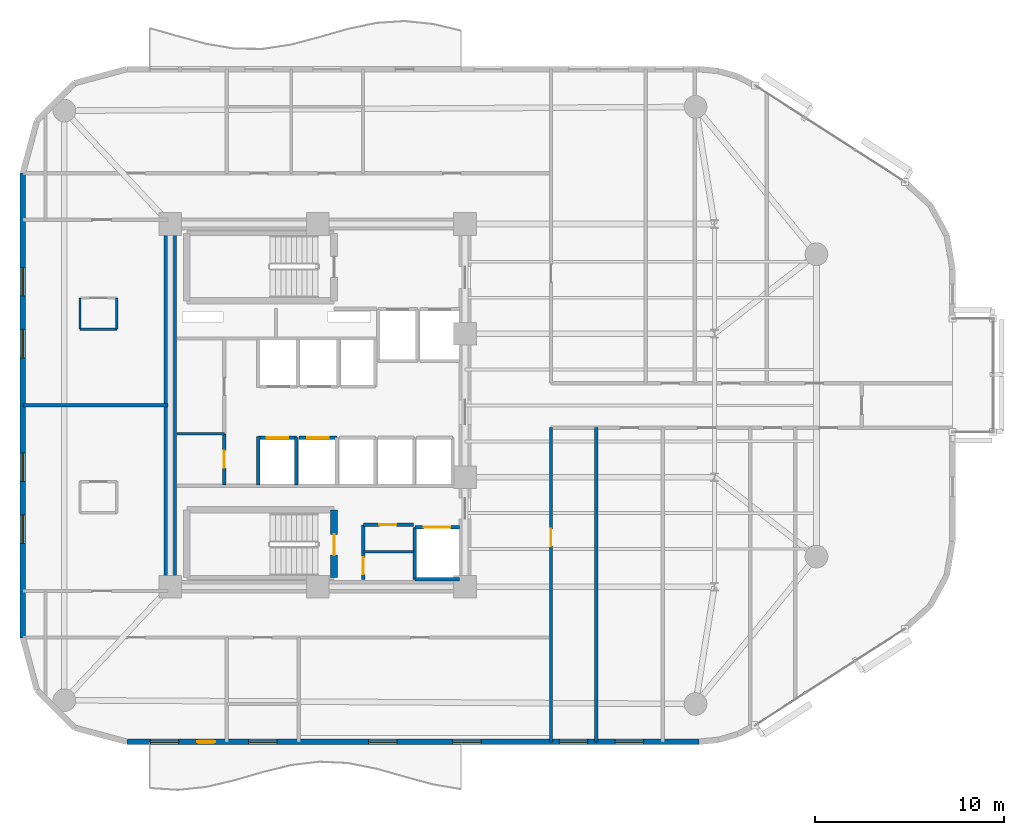
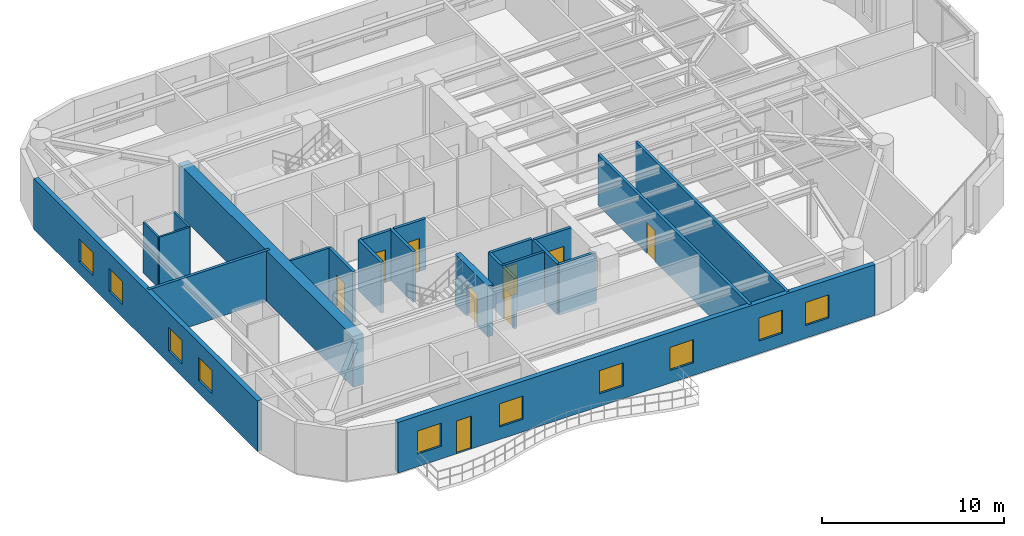
# One storey, part 8 of 13: 22 walls, 10 windows, 9 doors, 19 openings.
"""IFC4 building model written with IfcOpenShell, lengths in metres."""

from ifc_helpers import new_model, si_unit, direction, frame, frame_2d, origin, place, context, subcontext, project, spatial, rectangle, extrude, material, layer, layer_set, type_object, element, fill, save


model = new_model("IFC4")

# Units and contexts
model_context = context("Model", 3, precision=1e-05, world=origin(), true_north=direction((0.0, 1.0)))
body_context = subcontext(model_context, "Body", "Model", "MODEL_VIEW")
ifc_project = project(units=[si_unit("LENGTHUNIT", "METRE"), si_unit("AREAUNIT", "SQUARE_METRE"), si_unit("VOLUMEUNIT", "CUBIC_METRE"), si_unit("PLANEANGLEUNIT", "RADIAN"), si_unit("MASSUNIT", "GRAM", prefix="KILO")], contexts=[model_context])

# Site, building, storey
site_placement = place(None, origin())
site = spatial("IfcSite", under=ifc_project, at=site_placement, CompositionType="ELEMENT")
building_placement = place(site_placement, origin())
building = spatial("IfcBuilding", under=site, at=building_placement, Name="An Khanh Terracotta Commons", CompositionType="ELEMENT")
storey_placement = place(building_placement, frame((0.0, 0.0, 183.39990234375)))
storey = spatial("IfcBuildingStorey", under=building, at=storey_placement, Name="L48", CompositionType="ELEMENT", Elevation=183.39990234375)

# Wall
ifc_material_1 = material(Name="Concrete C60/75", Category="concrete")
ifc_layer_1 = layer(ifc_material_1, 0.64990234375, Name="Concrete C60/75")
ifc_layer_set_1 = layer_set([ifc_layer_1], Name="Concrete C60/75")
wall_type_1 = type_object("IfcWallType", Name="WALL-CORE-650", PredefinedType="SHEAR", material=ifc_layer_set_1)
wall_1_placement = place(storey_placement, frame((21.60009765625, 14.39990234375, 0.0), z_axis=(0.0, 0.0, 1.0), x_axis=(0.0, 1.0, 0.0)))
element("IfcWall", 1, at=wall_1_placement, inside=storey, type_object=wall_type_1, Name="L48 Core Wall CWALL-L48-W", PredefinedType="SHEAR", context=body_context, shape_type="SweptSolid", body=[
    extrude(rectangle(XDim=19.2001953125, YDim=0.64990234375, at=frame_2d((9.60009765625, 0.0))), origin(), (0.0, 0.0, 1.0), 3.400146484375),
])

# Wall, opening, door
ifc_material_2 = material(Name="Fire-Rated Gypsum Board on Steel Stud", Category="steel")
ifc_layer_2 = layer(ifc_material_2, 0.179931640625, Name="Fire-Rated Gypsum Board on Steel Stud")
ifc_layer_set_2 = layer_set([ifc_layer_2], Name="Fire-Rated Gypsum Board on Steel Stud")
wall_type_2 = type_object("IfcWallType", Name="WALL-CORR-180", PredefinedType="PARTITIONING", material=ifc_layer_set_2)
wall_2_placement = place(storey_placement, frame((31.820068359375, 17.679931640625, 0.0), z_axis=(0.0, 0.0, 1.0), x_axis=(1.0, 0.0, 0.0)))
wall_2 = element("IfcWall", 2, at=wall_2_placement, inside=storey, type_object=wall_type_2, Name="L48 Core Wall SSVCW-L48-N", PredefinedType="PARTITIONING", context=body_context, shape_type="SweptSolid", body=[
    extrude(rectangle(XDim=2.659912109375, YDim=0.179931640625, at=frame_2d((1.330078125, 0.0))), origin(), (0.0, 0.0, 1.0), 3.400146484375),
])
opening_1_placement = place(wall_2_placement, frame((0.85009765625, 0.0, 0.0)))
opening_1 = element("IfcOpeningElement", 3, at=opening_1_placement, cuts=wall_2, Name="Opening D-SV", PredefinedType="OPENING", context=body_context, shape_type="SweptSolid", body=[
    extrude(rectangle(XDim=0.89990234375, YDim=2.050048828125, at=frame_2d((0.449951171875, 1.02490234375))), frame((0.0, 0.099853515625, 0.0), z_axis=(0.0, -1.0, 0.0), x_axis=(1.0, 0.0, 0.0)), (0.0, 0.0, 1.0), 0.199951171875),
])
ifc_material_3 = material(Name="Fire-Rated Powder-Coated Steel Door", Category="steel")
door_type_1 = type_object("IfcDoorType", Name="DOOR-SERV-900", OperationType="NOTDEFINED", PredefinedType="DOOR", material=ifc_material_3)
door_1_placement = place(opening_1_placement, origin())
door_1 = element("IfcDoor", 4, at=door_1_placement, inside=storey, type_object=door_type_1, Name="L48 Core Cleaner Store Door", OperationType="SINGLE_SWING_LEFT", OverallHeight=2.050048828125, OverallWidth=0.89990234375, PredefinedType="DOOR", context=body_context, shape_type="SweptSolid", body=[
    extrude(rectangle(XDim=0.89990234375, YDim=2.050048828125, at=frame_2d((0.449951171875, 1.02490234375))), frame((0.0, 0.02490234375, 0.0), z_axis=(0.0, -1.0, 0.0), x_axis=(1.0, 0.0, 0.0)), (0.0, 0.0, 1.0), 0.050048828125),
])
fill(opening_1, door_1)

wall_3_placement = place(storey_placement, frame((31.820068359375, 14.800048828125, 0.0), z_axis=(0.0, 0.0, 1.0), x_axis=(0.0, 1.0, 0.0)))
wall_3 = element("IfcWall", 5, at=wall_3_placement, inside=storey, type_object=wall_type_2, Name="L48 Core Wall SSVCW-L48-W", PredefinedType="PARTITIONING", context=body_context, shape_type="SweptSolid", body=[
    extrude(rectangle(XDim=2.8798828125, YDim=0.179931640625, at=frame_2d((1.43994140625, 0.0))), origin(), (0.0, 0.0, 1.0), 3.400146484375),
])
opening_2_placement = place(wall_3_placement, frame((0.260009765625, 0.0, 0.0)))
opening_2 = element("IfcOpeningElement", 6, at=opening_2_placement, cuts=wall_3, Name="Opening D-SV", PredefinedType="OPENING", context=body_context, shape_type="SweptSolid", body=[
    extrude(rectangle(XDim=0.89990234375, YDim=2.050048828125, at=frame_2d((0.449951171875, 1.02490234375))), frame((0.0, 0.099853515625, 0.0), z_axis=(0.0, -1.0, 0.0), x_axis=(1.0, 0.0, 0.0)), (0.0, 0.0, 1.0), 0.199951171875),
])
door_2_placement = place(opening_2_placement, origin())
door_2 = element("IfcDoor", 7, at=door_2_placement, inside=storey, type_object=door_type_1, Name="L48 Telecoms BMS Cupboard Door", OperationType="SINGLE_SWING_RIGHT", OverallHeight=2.050048828125, OverallWidth=0.89990234375, PredefinedType="DOOR", context=body_context, shape_type="SweptSolid", body=[
    extrude(rectangle(XDim=0.89990234375, YDim=2.050048828125, at=frame_2d((0.449951171875, 1.02490234375))), frame((0.0, 0.02490234375, 0.0), z_axis=(0.0, -1.0, 0.0), x_axis=(1.0, 0.0, 0.0)), (0.0, 0.0, 1.0), 0.050048828125),
])
fill(opening_2, door_2)

wall_4_placement = place(storey_placement, frame((34.550048828125, 17.550048828125, 0.0), z_axis=(0.0, 0.0, 1.0), x_axis=(1.0, 0.0, 0.0)))
wall_4 = element("IfcWall", 8, at=wall_4_placement, inside=storey, type_object=wall_type_2, Name="L48 Core Wall LSH-L48-SVL-01-N", PredefinedType="PARTITIONING", context=body_context, shape_type="SweptSolid", body=[
    extrude(rectangle(XDim=2.349853515625, YDim=0.179931640625, at=frame_2d((1.1748046875, 0.0))), origin(), (0.0, 0.0, 1.0), 3.400146484375),
])
opening_3_placement = place(wall_4_placement, frame((0.47509765625, 0.0, 0.0)))
opening_3 = element("IfcOpeningElement", 9, at=opening_3_placement, cuts=wall_4, Name="Opening LD-SVL-01-L48", PredefinedType="OPENING", context=body_context, shape_type="SweptSolid", body=[
    extrude(rectangle(XDim=1.39990234375, YDim=2.300048828125, at=frame_2d((0.699951171875, 1.14990234375))), frame((0.0, 0.099853515625, 0.0), z_axis=(0.0, -1.0, 0.0), x_axis=(1.0, 0.0, 0.0)), (0.0, 0.0, 1.0), 0.199951171875),
])
ifc_material_4 = material(Name="Heavy-Duty Stainless Steel Goods Landing Door", Category="steel")
door_type_2 = type_object("IfcDoorType", Name="DOOR-LD-SVL-1400", OperationType="NOTDEFINED", PredefinedType="DOOR", material=ifc_material_4)
door_3_placement = place(opening_3_placement, origin())
door_3 = element("IfcDoor", 10, at=door_3_placement, inside=storey, type_object=door_type_2, Name="L48 Lift SVL-01 Sliding Landing Door", OperationType="DOUBLE_DOOR_SLIDING", OverallHeight=2.300048828125, OverallWidth=1.39990234375, PredefinedType="DOOR", context=body_context, shape_type="SweptSolid", body=[
    extrude(rectangle(XDim=1.39990234375, YDim=2.300048828125, at=frame_2d((0.699951171875, 1.14990234375))), frame((0.0, 0.02490234375, 0.0), z_axis=(0.0, -1.0, 0.0), x_axis=(1.0, 0.0, 0.0)), (0.0, 0.0, 1.0), 0.050048828125),
])
fill(opening_3, door_3)

# Walls
wall_5_placement = place(storey_placement, frame((36.89990234375, 14.800048828125, 0.0), z_axis=(0.0, 0.0, 1.0), x_axis=(-1.0, 0.0, 0.0)))
element("IfcWall", 11, at=wall_5_placement, inside=storey, type_object=wall_type_2, Name="L48 Core Wall LSH-L48-SVL-01-S", PredefinedType="PARTITIONING", context=body_context, shape_type="SweptSolid", body=[
    extrude(rectangle(XDim=2.349853515625, YDim=0.179931640625, at=frame_2d((1.1748046875, 0.0))), origin(), (0.0, 0.0, 1.0), 3.400146484375),
])
wall_6_placement = place(storey_placement, frame((34.550048828125, 17.550048828125, 0.0), z_axis=(0.0, 0.0, 1.0), x_axis=(0.0, -1.0, 0.0)))
element("IfcWall", 12, at=wall_6_placement, inside=storey, type_object=wall_type_2, Name="L48 Core Wall LSH-L48-SVL-01-W", PredefinedType="PARTITIONING", context=body_context, shape_type="SweptSolid", body=[
    extrude(rectangle(XDim=2.75, YDim=0.179931640625, at=frame_2d((1.375, 0.0))), origin(), (0.0, 0.0, 1.0), 3.400146484375),
])

# Wall, opening, door
wall_7_placement = place(storey_placement, frame((26.280029296875, 22.300048828125, 0.0), z_axis=(0.0, 0.0, 1.0), x_axis=(1.0, 0.0, 0.0)))
wall_7 = element("IfcWall", 13, at=wall_7_placement, inside=storey, type_object=wall_type_2, Name="L48 Core Wall LSH-L48-PL-M3-N", PredefinedType="PARTITIONING", context=body_context, shape_type="SweptSolid", body=[
    extrude(rectangle(XDim=2.0, YDim=0.179931640625, at=frame_2d((1.0, 0.0))), origin(), (0.0, 0.0, 1.0), 3.400146484375),
])
opening_4_placement = place(wall_7_placement, frame((0.425048828125, 0.0, 0.0)))
opening_4 = element("IfcOpeningElement", 14, at=opening_4_placement, cuts=wall_7, Name="Opening LD-PL-M3-L48", PredefinedType="OPENING", context=body_context, shape_type="SweptSolid", body=[
    extrude(rectangle(XDim=1.14990234375, YDim=2.199951171875, at=frame_2d((0.574951171875, 1.10009765625))), frame((0.0, 0.099853515625, 0.0), z_axis=(0.0, -1.0, 0.0), x_axis=(1.0, 0.0, 0.0)), (0.0, 0.0, 1.0), 0.199951171875),
])
ifc_material_5 = material(Name="Brushed Stainless Steel Passenger Landing Door", Category="steel")
door_type_3 = type_object("IfcDoorType", Name="DOOR-LD-PAX-1150", OperationType="NOTDEFINED", PredefinedType="DOOR", material=ifc_material_5)
door_4_placement = place(opening_4_placement, origin())
door_4 = element("IfcDoor", 15, at=door_4_placement, inside=storey, type_object=door_type_3, Name="L48 Lift PL-M3 Sliding Landing Door", OperationType="DOUBLE_DOOR_SLIDING", OverallHeight=2.199951171875, OverallWidth=1.14990234375, PredefinedType="DOOR", context=body_context, shape_type="SweptSolid", body=[
    extrude(rectangle(XDim=1.14990234375, YDim=2.199951171875, at=frame_2d((0.574951171875, 1.10009765625))), frame((0.0, 0.02490234375, 0.0), z_axis=(0.0, -1.0, 0.0), x_axis=(1.0, 0.0, 0.0)), (0.0, 0.0, 1.0), 0.050048828125),
])
fill(opening_4, door_4)

# Wall
wall_8_placement = place(storey_placement, frame((28.280029296875, 19.800048828125, 0.0), z_axis=(0.0, 0.0, 1.0), x_axis=(0.0, 1.0, 0.0)))
element("IfcWall", 16, at=wall_8_placement, inside=storey, type_object=wall_type_2, Name="L48 Core Wall LSH-L48-PL-M3-E", PredefinedType="PARTITIONING", context=body_context, shape_type="SweptSolid", body=[
    extrude(rectangle(XDim=2.5, YDim=0.179931640625, at=frame_2d((1.25, 0.0))), origin(), (0.0, 0.0, 1.0), 3.400146484375),
])

# Wall, opening, door
wall_9_placement = place(storey_placement, frame((28.419921875, 22.300048828125, 0.0), z_axis=(0.0, 0.0, 1.0), x_axis=(1.0, 0.0, 0.0)))
wall_9 = element("IfcWall", 17, at=wall_9_placement, inside=storey, type_object=wall_type_2, Name="L48 Core Wall LSH-L48-PL-M4-N", PredefinedType="PARTITIONING", context=body_context, shape_type="SweptSolid", body=[
    extrude(rectangle(XDim=2.0, YDim=0.179931640625, at=frame_2d((1.0, 0.0))), origin(), (0.0, 0.0, 1.0), 3.400146484375),
])
opening_5_placement = place(wall_9_placement, frame((0.425048828125, 0.0, 0.0)))
opening_5 = element("IfcOpeningElement", 18, at=opening_5_placement, cuts=wall_9, Name="Opening LD-PL-M4-L48", PredefinedType="OPENING", context=body_context, shape_type="SweptSolid", body=[
    extrude(rectangle(XDim=1.14990234375, YDim=2.199951171875, at=frame_2d((0.574951171875, 1.10009765625))), frame((0.0, 0.099853515625, 0.0), z_axis=(0.0, -1.0, 0.0), x_axis=(1.0, 0.0, 0.0)), (0.0, 0.0, 1.0), 0.199951171875),
])
door_5_placement = place(opening_5_placement, origin())
door_5 = element("IfcDoor", 19, at=door_5_placement, inside=storey, type_object=door_type_3, Name="L48 Lift PL-M4 Sliding Landing Door", OperationType="DOUBLE_DOOR_SLIDING", OverallHeight=2.199951171875, OverallWidth=1.14990234375, PredefinedType="DOOR", context=body_context, shape_type="SweptSolid", body=[
    extrude(rectangle(XDim=1.14990234375, YDim=2.199951171875, at=frame_2d((0.574951171875, 1.10009765625))), frame((0.0, 0.02490234375, 0.0), z_axis=(0.0, -1.0, 0.0), x_axis=(1.0, 0.0, 0.0)), (0.0, 0.0, 1.0), 0.050048828125),
])
fill(opening_5, door_5)

wall_10_placement = place(storey_placement, frame((24.4599609375, 19.800048828125, 0.0), z_axis=(0.0, 0.0, 1.0), x_axis=(0.0, 1.0, 0.0)))
wall_10 = element("IfcWall", 20, at=wall_10_placement, inside=storey, type_object=wall_type_2, Name="L48 Core Wall RECW-L48-E2", PredefinedType="PARTITIONING", context=body_context, shape_type="SweptSolid", body=[
    extrude(rectangle(XDim=2.699951171875, YDim=0.179931640625, at=frame_2d((1.35009765625, 0.0))), origin(), (0.0, 0.0, 1.0), 3.400146484375),
])
opening_6_placement = place(wall_10_placement, frame((0.889892578125, 0.0, 0.0)))
opening_6 = element("IfcOpeningElement", 21, at=opening_6_placement, cuts=wall_10, Name="Opening D-RM", PredefinedType="OPENING", context=body_context, shape_type="SweptSolid", body=[
    extrude(rectangle(XDim=0.919921875, YDim=2.10009765625, at=frame_2d((0.4599609375, 1.050048828125))), frame((0.0, 0.099853515625, 0.0), z_axis=(0.0, -1.0, 0.0), x_axis=(1.0, 0.0, 0.0)), (0.0, 0.0, 1.0), 0.199951171875),
])
ifc_material_6 = material(Name="Engineered Hardwood Timber Leaf", Category="wood")
door_type_4 = type_object("IfcDoorType", Name="DOOR-INT-920", OperationType="NOTDEFINED", PredefinedType="DOOR", material=ifc_material_6)
door_6_placement = place(opening_6_placement, origin())
door_6 = element("IfcDoor", 22, at=door_6_placement, inside=storey, type_object=door_type_4, Name="L48 Communal Laundry Room Door", OperationType="SINGLE_SWING_RIGHT", OverallHeight=2.10009765625, OverallWidth=0.919921875, PredefinedType="DOOR", context=body_context, shape_type="SweptSolid", body=[
    extrude(rectangle(XDim=0.919921875, YDim=2.10009765625, at=frame_2d((0.4599609375, 1.050048828125))), frame((0.0, 0.02490234375, 0.0), z_axis=(0.0, -1.0, 0.0), x_axis=(1.0, 0.0, 0.0)), (0.0, 0.0, 1.0), 0.050048828125),
])
fill(opening_6, door_6)

# Walls
wall_11_placement = place(storey_placement, frame((26.25, 19.800048828125, 0.0), z_axis=(0.0, 0.0, 1.0), x_axis=(0.0, 1.0, 0.0)))
element("IfcWall", 23, at=wall_11_placement, inside=storey, type_object=wall_type_2, Name="L48 Core Wall RECW-L48-BE2", PredefinedType="PARTITIONING", context=body_context, shape_type="SweptSolid", body=[
    extrude(rectangle(XDim=2.550048828125, YDim=0.179931640625, at=frame_2d((1.27490234375, 0.0))), origin(), (0.0, 0.0, 1.0), 3.400146484375),
])
wall_12_placement = place(storey_placement, frame((13.800048828125, 24.0, 0.0), z_axis=(0.0, 0.0, 1.0), x_axis=(1.0, 0.0, 0.0)))
element("IfcWall", 24, at=wall_12_placement, inside=storey, type_object=wall_type_2, Name="L48 Interior Partition IW-L48-E005", PredefinedType="PARTITIONING", context=body_context, shape_type="SweptSolid", body=[
    extrude(rectangle(XDim=7.679931640625, YDim=0.179931640625, at=frame_2d((3.83984375, 0.0))), origin(), (0.0, 0.0, 1.0), 3.400146484375),
])

# Wall, opening, door
wall_13_placement = place(storey_placement, frame((41.75, 6.199951171875, 0.0), z_axis=(0.0, 0.0, 1.0), x_axis=(0.0, 1.0, 0.0)))
wall_13 = element("IfcWall", 25, at=wall_13_placement, inside=storey, type_object=wall_type_2, Name="L48 Interior Partition IW-L48-E017", PredefinedType="PARTITIONING", context=body_context, shape_type="SweptSolid", body=[
    extrude(rectangle(XDim=16.6201171875, YDim=0.179931640625, at=frame_2d((8.31005859375, 0.0))), origin(), (0.0, 0.0, 1.0), 3.400146484375),
])
opening_7_placement = place(wall_13_placement, frame((10.35009765625, 0.0, 0.0)))
opening_7 = element("IfcOpeningElement", 26, at=opening_7_placement, cuts=wall_13, Name="Opening D-RM", PredefinedType="OPENING", context=body_context, shape_type="SweptSolid", body=[
    extrude(rectangle(XDim=0.919921875, YDim=2.10009765625, at=frame_2d((0.4599609375, 1.050048828125))), frame((0.0, 0.099853515625, 0.0), z_axis=(0.0, -1.0, 0.0), x_axis=(1.0, 0.0, 0.0)), (0.0, 0.0, 1.0), 0.199951171875),
])
door_7_placement = place(opening_7_placement, origin())
door_7 = element("IfcDoor", 27, at=door_7_placement, inside=storey, type_object=door_type_4, Name="L48 SB1 Research Study Office Door", OperationType="SINGLE_SWING_RIGHT", OverallHeight=2.10009765625, OverallWidth=0.919921875, PredefinedType="DOOR", context=body_context, shape_type="SweptSolid", body=[
    extrude(rectangle(XDim=0.919921875, YDim=2.10009765625, at=frame_2d((0.4599609375, 1.050048828125))), frame((0.0, 0.02490234375, 0.0), z_axis=(0.0, -1.0, 0.0), x_axis=(1.0, 0.0, 0.0)), (0.0, 0.0, 1.0), 0.050048828125),
])
fill(opening_7, door_7)

# Wall
wall_14_placement = place(storey_placement, frame((44.139892578125, 6.199951171875, 0.0), z_axis=(0.0, 0.0, 1.0), x_axis=(0.0, 1.0, 0.0)))
element("IfcWall", 28, at=wall_14_placement, inside=storey, type_object=wall_type_2, Name="L48 Interior Partition IW-L48-E019", PredefinedType="PARTITIONING", context=body_context, shape_type="SweptSolid", body=[
    extrude(rectangle(XDim=16.6201171875, YDim=0.179931640625, at=frame_2d((8.31005859375, 0.0))), origin(), (0.0, 0.0, 1.0), 3.400146484375),
])

# Wall, openings, door, windows
ifc_material_7 = material(Name="Precast concrete C40/50", Category="concrete")
ifc_layer_3 = layer(ifc_material_7, 0.300048828125, Name="Precast concrete C40/50")
ifc_layer_set_3 = layer_set([ifc_layer_3], Name="Precast concrete C40/50")
wall_type_3 = type_object("IfcWallType", Name="WALL-EXT-300", PredefinedType="SOLIDWALL", material=ifc_layer_set_3)
wall_15_placement = place(storey_placement, frame((19.300048828125, 6.199951171875, 0.0), z_axis=(0.0, 0.0, 1.0), x_axis=(1.0, 0.0, 0.0)))
wall_15 = element("IfcWall", 29, at=wall_15_placement, inside=storey, type_object=wall_type_3, Name="L48 Insulated Terracotta Exterior Wall 4", PredefinedType="SOLIDWALL", context=body_context, shape_type="SweptSolid", body=[
    extrude(rectangle(XDim=30.281982421875, YDim=0.300048828125, at=frame_2d((15.14111328125, 0.0))), origin(), (0.0, 0.0, 1.0), 3.400146484375),
])
opening_8_placement = place(wall_15_placement, frame((3.72509765625, 0.0, 0.0)))
opening_8 = element("IfcOpeningElement", 30, at=opening_8_placement, cuts=wall_15, Name="Opening D-BAL", PredefinedType="OPENING", context=body_context, shape_type="SweptSolid", body=[
    extrude(rectangle(XDim=0.949951171875, YDim=2.199951171875, at=frame_2d((0.47509765625, 1.10009765625))), frame((0.0, 0.159912109375, 0.0), z_axis=(0.0, -1.0, 0.0), x_axis=(1.0, 0.0, 0.0)), (0.0, 0.0, 1.0), 0.320068359375),
])
opening_9_placement = place(wall_15_placement, frame((1.25, 0.0, 0.85009765625)))
opening_9 = element("IfcOpeningElement", 31, at=opening_9_placement, cuts=wall_15, Name="Opening W-03", PredefinedType="OPENING", context=body_context, shape_type="SweptSolid", body=[
    extrude(rectangle(XDim=1.5, YDim=1.550048828125, at=frame_2d((0.75, 0.77490234375))), frame((0.0, 0.159912109375, 0.0), z_axis=(0.0, -1.0, 0.0), x_axis=(1.0, 0.0, 0.0)), (0.0, 0.0, 1.0), 0.320068359375),
])
opening_10_placement = place(wall_15_placement, frame((6.449951171875, 0.0, 0.85009765625)))
opening_10 = element("IfcOpeningElement", 32, at=opening_10_placement, cuts=wall_15, Name="Opening W-03", PredefinedType="OPENING", context=body_context, shape_type="SweptSolid", body=[
    extrude(rectangle(XDim=1.5, YDim=1.550048828125, at=frame_2d((0.75, 0.77490234375))), frame((0.0, 0.159912109375, 0.0), z_axis=(0.0, -1.0, 0.0), x_axis=(1.0, 0.0, 0.0)), (0.0, 0.0, 1.0), 0.320068359375),
])
opening_11_placement = place(wall_15_placement, frame((12.800048828125, 0.0, 0.85009765625)))
opening_11 = element("IfcOpeningElement", 33, at=opening_11_placement, cuts=wall_15, Name="Opening W-03", PredefinedType="OPENING", context=body_context, shape_type="SweptSolid", body=[
    extrude(rectangle(XDim=1.5, YDim=1.550048828125, at=frame_2d((0.75, 0.77490234375))), frame((0.0, 0.159912109375, 0.0), z_axis=(0.0, -1.0, 0.0), x_axis=(1.0, 0.0, 0.0)), (0.0, 0.0, 1.0), 0.320068359375),
])
opening_12_placement = place(wall_15_placement, frame((17.25, 0.0, 0.85009765625)))
opening_12 = element("IfcOpeningElement", 34, at=opening_12_placement, cuts=wall_15, Name="Opening W-03", PredefinedType="OPENING", context=body_context, shape_type="SweptSolid", body=[
    extrude(rectangle(XDim=1.5, YDim=1.550048828125, at=frame_2d((0.75, 0.77490234375))), frame((0.0, 0.159912109375, 0.0), z_axis=(0.0, -1.0, 0.0), x_axis=(1.0, 0.0, 0.0)), (0.0, 0.0, 1.0), 0.320068359375),
])
opening_13_placement = place(wall_15_placement, frame((22.89501953125, 0.0, 0.85009765625)))
opening_13 = element("IfcOpeningElement", 35, at=opening_13_placement, cuts=wall_15, Name="Opening W-03", PredefinedType="OPENING", context=body_context, shape_type="SweptSolid", body=[
    extrude(rectangle(XDim=1.5, YDim=1.550048828125, at=frame_2d((0.75, 0.77490234375))), frame((0.0, 0.159912109375, 0.0), z_axis=(0.0, -1.0, 0.0), x_axis=(1.0, 0.0, 0.0)), (0.0, 0.0, 1.0), 0.320068359375),
])
opening_14_placement = place(wall_15_placement, frame((25.847900390625, 0.0, 0.85009765625)))
opening_14 = element("IfcOpeningElement", 36, at=opening_14_placement, cuts=wall_15, Name="Opening W-03", PredefinedType="OPENING", context=body_context, shape_type="SweptSolid", body=[
    extrude(rectangle(XDim=1.5, YDim=1.550048828125, at=frame_2d((0.75, 0.77490234375))), frame((0.0, 0.159912109375, 0.0), z_axis=(0.0, -1.0, 0.0), x_axis=(1.0, 0.0, 0.0)), (0.0, 0.0, 1.0), 0.320068359375),
])
ifc_material_8 = material(Name="Thermally Broken Aluminium and Low-E Glass", Category="aluminium")
door_type_5 = type_object("IfcDoorType", Name="DOOR-BALC-950", OperationType="NOTDEFINED", PredefinedType="DOOR", material=ifc_material_8)
door_8_placement = place(opening_8_placement, origin())
door_8 = element("IfcDoor", 37, at=door_8_placement, inside=storey, type_object=door_type_5, Name="L48 S Wave Balcony Glazed Door", OperationType="SINGLE_SWING_LEFT", OverallHeight=2.199951171875, OverallWidth=0.949951171875, PredefinedType="DOOR", context=body_context, shape_type="SweptSolid", body=[
    extrude(rectangle(XDim=0.949951171875, YDim=2.199951171875, at=frame_2d((0.47509765625, 1.10009765625))), frame((0.0, 0.02490234375, 0.0), z_axis=(0.0, -1.0, 0.0), x_axis=(1.0, 0.0, 0.0)), (0.0, 0.0, 1.0), 0.050048828125),
])
fill(opening_8, door_8)
window_type = type_object("IfcWindowType", Name="WIN-Z3-1500x1550", PartitioningType="DOUBLE_PANEL_VERTICAL", PredefinedType="WINDOW", material=ifc_material_8)
window_1_placement = place(opening_9_placement, origin())
window_1 = element("IfcWindow", 38, at=window_1_placement, inside=storey, type_object=window_type, Name="L48 Operable Casement Window 4.1", OverallHeight=1.550048828125, OverallWidth=1.5, PartitioningType="DOUBLE_PANEL_VERTICAL", PredefinedType="WINDOW", context=body_context, shape_type="SweptSolid", body=[
    extrude(rectangle(XDim=1.5, YDim=1.550048828125, at=frame_2d((0.75, 0.77490234375))), frame((0.0, 0.030029296875, 0.0), z_axis=(0.0, -1.0, 0.0), x_axis=(1.0, 0.0, 0.0)), (0.0, 0.0, 1.0), 0.06005859375),
])
fill(opening_9, window_1)
window_2_placement = place(opening_10_placement, origin())
window_2 = element("IfcWindow", 39, at=window_2_placement, inside=storey, type_object=window_type, Name="L48 Operable Casement Window 4.2", OverallHeight=1.550048828125, OverallWidth=1.5, PartitioningType="DOUBLE_PANEL_VERTICAL", PredefinedType="WINDOW", context=body_context, shape_type="SweptSolid", body=[
    extrude(rectangle(XDim=1.5, YDim=1.550048828125, at=frame_2d((0.75, 0.77490234375))), frame((0.0, 0.030029296875, 0.0), z_axis=(0.0, -1.0, 0.0), x_axis=(1.0, 0.0, 0.0)), (0.0, 0.0, 1.0), 0.06005859375),
])
fill(opening_10, window_2)
window_3_placement = place(opening_11_placement, origin())
window_3 = element("IfcWindow", 40, at=window_3_placement, inside=storey, type_object=window_type, Name="L48 Operable Casement Window 4.3", OverallHeight=1.550048828125, OverallWidth=1.5, PartitioningType="DOUBLE_PANEL_VERTICAL", PredefinedType="WINDOW", context=body_context, shape_type="SweptSolid", body=[
    extrude(rectangle(XDim=1.5, YDim=1.550048828125, at=frame_2d((0.75, 0.77490234375))), frame((0.0, 0.030029296875, 0.0), z_axis=(0.0, -1.0, 0.0), x_axis=(1.0, 0.0, 0.0)), (0.0, 0.0, 1.0), 0.06005859375),
])
fill(opening_11, window_3)
window_4_placement = place(opening_12_placement, origin())
window_4 = element("IfcWindow", 41, at=window_4_placement, inside=storey, type_object=window_type, Name="L48 Operable Casement Window 4.4", OverallHeight=1.550048828125, OverallWidth=1.5, PartitioningType="DOUBLE_PANEL_VERTICAL", PredefinedType="WINDOW", context=body_context, shape_type="SweptSolid", body=[
    extrude(rectangle(XDim=1.5, YDim=1.550048828125, at=frame_2d((0.75, 0.77490234375))), frame((0.0, 0.030029296875, 0.0), z_axis=(0.0, -1.0, 0.0), x_axis=(1.0, 0.0, 0.0)), (0.0, 0.0, 1.0), 0.06005859375),
])
fill(opening_12, window_4)
window_5_placement = place(opening_13_placement, origin())
window_5 = element("IfcWindow", 42, at=window_5_placement, inside=storey, type_object=window_type, Name="L48 Operable Casement Window 4.5", OverallHeight=1.550048828125, OverallWidth=1.5, PartitioningType="DOUBLE_PANEL_VERTICAL", PredefinedType="WINDOW", context=body_context, shape_type="SweptSolid", body=[
    extrude(rectangle(XDim=1.5, YDim=1.550048828125, at=frame_2d((0.75, 0.77490234375))), frame((0.0, 0.030029296875, 0.0), z_axis=(0.0, -1.0, 0.0), x_axis=(1.0, 0.0, 0.0)), (0.0, 0.0, 1.0), 0.06005859375),
])
fill(opening_13, window_5)
window_6_placement = place(opening_14_placement, origin())
window_6 = element("IfcWindow", 43, at=window_6_placement, inside=storey, type_object=window_type, Name="L48 Operable Casement Window 4.6", OverallHeight=1.550048828125, OverallWidth=1.5, PartitioningType="DOUBLE_PANEL_VERTICAL", PredefinedType="WINDOW", context=body_context, shape_type="SweptSolid", body=[
    extrude(rectangle(XDim=1.5, YDim=1.550048828125, at=frame_2d((0.75, 0.77490234375))), frame((0.0, 0.030029296875, 0.0), z_axis=(0.0, -1.0, 0.0), x_axis=(1.0, 0.0, 0.0)), (0.0, 0.0, 1.0), 0.06005859375),
])
fill(opening_14, window_6)

# Wall, openings, windows
wall_16_placement = place(storey_placement, frame((13.800048828125, 36.300048828125, 0.0), z_axis=(0.0, 0.0, 1.0), x_axis=(0.0, -1.0, 0.0)))
wall_16 = element("IfcWall", 44, at=wall_16_placement, inside=storey, type_object=wall_type_3, Name="L48 Insulated Terracotta Exterior Wall 24", PredefinedType="SOLIDWALL", context=body_context, shape_type="SweptSolid", body=[
    extrude(rectangle(XDim=24.60009765625, YDim=0.300048828125, at=frame_2d((12.300048828125, 0.0))), origin(), (0.0, 0.0, 1.0), 3.400146484375),
])
opening_15_placement = place(wall_16_placement, frame((5.0029296875, 0.0, 0.85009765625)))
opening_15 = element("IfcOpeningElement", 45, at=opening_15_placement, cuts=wall_16, Name="Opening W-03", PredefinedType="OPENING", context=body_context, shape_type="SweptSolid", body=[
    extrude(rectangle(XDim=1.5, YDim=1.550048828125, at=frame_2d((0.75, 0.77490234375))), frame((0.0, 0.159912109375, 0.0), z_axis=(0.0, -1.0, 0.0), x_axis=(1.0, 0.0, 0.0)), (0.0, 0.0, 1.0), 0.320068359375),
])
opening_16_placement = place(wall_16_placement, frame((8.277099609375, 0.0, 0.85009765625)))
opening_16 = element("IfcOpeningElement", 46, at=opening_16_placement, cuts=wall_16, Name="Opening W-03", PredefinedType="OPENING", context=body_context, shape_type="SweptSolid", body=[
    extrude(rectangle(XDim=1.5, YDim=1.550048828125, at=frame_2d((0.75, 0.77490234375))), frame((0.0, 0.159912109375, 0.0), z_axis=(0.0, -1.0, 0.0), x_axis=(1.0, 0.0, 0.0)), (0.0, 0.0, 1.0), 0.320068359375),
])
opening_17_placement = place(wall_16_placement, frame((14.822998046875, 0.0, 0.85009765625)))
opening_17 = element("IfcOpeningElement", 47, at=opening_17_placement, cuts=wall_16, Name="Opening W-03", PredefinedType="OPENING", context=body_context, shape_type="SweptSolid", body=[
    extrude(rectangle(XDim=1.5, YDim=1.550048828125, at=frame_2d((0.75, 0.77490234375))), frame((0.0, 0.159912109375, 0.0), z_axis=(0.0, -1.0, 0.0), x_axis=(1.0, 0.0, 0.0)), (0.0, 0.0, 1.0), 0.320068359375),
])
opening_18_placement = place(wall_16_placement, frame((18.096923828125, 0.0, 0.85009765625)))
opening_18 = element("IfcOpeningElement", 48, at=opening_18_placement, cuts=wall_16, Name="Opening W-03", PredefinedType="OPENING", context=body_context, shape_type="SweptSolid", body=[
    extrude(rectangle(XDim=1.5, YDim=1.550048828125, at=frame_2d((0.75, 0.77490234375))), frame((0.0, 0.159912109375, 0.0), z_axis=(0.0, -1.0, 0.0), x_axis=(1.0, 0.0, 0.0)), (0.0, 0.0, 1.0), 0.320068359375),
])
window_7_placement = place(opening_15_placement, origin())
window_7 = element("IfcWindow", 49, at=window_7_placement, inside=storey, type_object=window_type, Name="L48 Operable Casement Window 24.1", OverallHeight=1.550048828125, OverallWidth=1.5, PartitioningType="DOUBLE_PANEL_VERTICAL", PredefinedType="WINDOW", context=body_context, shape_type="SweptSolid", body=[
    extrude(rectangle(XDim=1.5, YDim=1.550048828125, at=frame_2d((0.75, 0.77490234375))), frame((0.0, 0.030029296875, 0.0), z_axis=(0.0, -1.0, 0.0), x_axis=(1.0, 0.0, 0.0)), (0.0, 0.0, 1.0), 0.06005859375),
])
fill(opening_15, window_7)
window_8_placement = place(opening_16_placement, origin())
window_8 = element("IfcWindow", 50, at=window_8_placement, inside=storey, type_object=window_type, Name="L48 Operable Casement Window 24.2", OverallHeight=1.550048828125, OverallWidth=1.5, PartitioningType="DOUBLE_PANEL_VERTICAL", PredefinedType="WINDOW", context=body_context, shape_type="SweptSolid", body=[
    extrude(rectangle(XDim=1.5, YDim=1.550048828125, at=frame_2d((0.75, 0.77490234375))), frame((0.0, 0.030029296875, 0.0), z_axis=(0.0, -1.0, 0.0), x_axis=(1.0, 0.0, 0.0)), (0.0, 0.0, 1.0), 0.06005859375),
])
fill(opening_16, window_8)
window_9_placement = place(opening_17_placement, origin())
window_9 = element("IfcWindow", 51, at=window_9_placement, inside=storey, type_object=window_type, Name="L48 Operable Casement Window 24.3", OverallHeight=1.550048828125, OverallWidth=1.5, PartitioningType="DOUBLE_PANEL_VERTICAL", PredefinedType="WINDOW", context=body_context, shape_type="SweptSolid", body=[
    extrude(rectangle(XDim=1.5, YDim=1.550048828125, at=frame_2d((0.75, 0.77490234375))), frame((0.0, 0.030029296875, 0.0), z_axis=(0.0, -1.0, 0.0), x_axis=(1.0, 0.0, 0.0)), (0.0, 0.0, 1.0), 0.06005859375),
])
fill(opening_17, window_9)
window_10_placement = place(opening_18_placement, origin())
window_10 = element("IfcWindow", 52, at=window_10_placement, inside=storey, type_object=window_type, Name="L48 Operable Casement Window 24.4", OverallHeight=1.550048828125, OverallWidth=1.5, PartitioningType="DOUBLE_PANEL_VERTICAL", PredefinedType="WINDOW", context=body_context, shape_type="SweptSolid", body=[
    extrude(rectangle(XDim=1.5, YDim=1.550048828125, at=frame_2d((0.75, 0.77490234375))), frame((0.0, 0.030029296875, 0.0), z_axis=(0.0, -1.0, 0.0), x_axis=(1.0, 0.0, 0.0)), (0.0, 0.0, 1.0), 0.06005859375),
])
fill(opening_18, window_10)

# Walls
ifc_material_9 = material(Name="Acoustic Gypsum Board Partition")
ifc_layer_4 = layer(ifc_material_9, 0.14990234375, Name="Acoustic Gypsum Board Partition")
ifc_layer_set_4 = layer_set([ifc_layer_4], Name="Acoustic Gypsum Board Partition")
wall_type_4 = type_object("IfcWallType", Name="WALL-PART-150", PredefinedType="PARTITIONING", material=ifc_layer_set_4)
wall_17_placement = place(storey_placement, frame((31.820068359375, 16.260009765625, 0.0), z_axis=(0.0, 0.0, 1.0), x_axis=(1.0, 0.0, 0.0)))
element("IfcWall", 53, at=wall_17_placement, inside=storey, type_object=wall_type_4, Name="L48 Core Wall SSVCW-L48-M", PredefinedType="PARTITIONING", context=body_context, shape_type="SweptSolid", body=[
    extrude(rectangle(XDim=2.659912109375, YDim=0.14990234375, at=frame_2d((1.330078125, 0.0))), origin(), (0.0, 0.0, 1.0), 3.400146484375),
])
wall_18_placement = place(storey_placement, frame((21.949951171875, 22.5, 0.0), z_axis=(0.0, 0.0, 1.0), x_axis=(1.0, 0.0, 0.0)))
element("IfcWall", 54, at=wall_18_placement, inside=storey, type_object=wall_type_4, Name="L48 Core Wall RECW-L48-M", PredefinedType="PARTITIONING", context=body_context, shape_type="SweptSolid", body=[
    extrude(rectangle(XDim=2.510009765625, YDim=0.14990234375, at=frame_2d((1.2548828125, 0.0))), origin(), (0.0, 0.0, 1.0), 3.400146484375),
])

# Wall, opening, door
ifc_material_10 = material(Name="Concrete C50/60", Category="concrete")
ifc_layer_5 = layer(ifc_material_10, 0.35009765625, Name="Concrete C50/60")
ifc_layer_set_5 = layer_set([ifc_layer_5], Name="Concrete C50/60")
wall_type_5 = type_object("IfcWallType", Name="WALL-SHAFT-350", PredefinedType="SOLIDWALL", material=ifc_layer_set_5)
wall_19_placement = place(storey_placement, frame((30.27001953125, 14.889892578125, 0.0), z_axis=(0.0, 0.0, 1.0), x_axis=(0.0, 1.0, 0.0)))
wall_19 = element("IfcWall", 55, at=wall_19_placement, inside=storey, type_object=wall_type_5, Name="L48 Core Wall STW-L48-S-E", PredefinedType="SOLIDWALL", context=body_context, shape_type="SweptSolid", body=[
    extrude(rectangle(XDim=3.580078125, YDim=0.35009765625, at=frame_2d((1.7900390625, 0.0))), origin(), (0.0, 0.0, 1.0), 3.400146484375),
])
opening_19_placement = place(wall_19_placement, frame((1.18994140625, 0.0, 0.0)))
opening_19 = element("IfcOpeningElement", 56, at=opening_19_placement, cuts=wall_19, Name="Opening D-ST", PredefinedType="OPENING", context=body_context, shape_type="SweptSolid", body=[
    extrude(rectangle(XDim=1.10009765625, YDim=2.14990234375, at=frame_2d((0.550048828125, 1.074951171875))), frame((0.0, 0.18505859375, 0.0), z_axis=(0.0, -1.0, 0.0), x_axis=(1.0, 0.0, 0.0)), (0.0, 0.0, 1.0), 0.3701171875),
])
ifc_material_11 = material(Name="Fire-Rated Steel Leaf and Frame", Category="steel")
door_type_6 = type_object("IfcDoorType", Name="DOOR-STAIR-1100", OperationType="NOTDEFINED", PredefinedType="DOOR", material=ifc_material_11)
door_9_placement = place(opening_19_placement, origin())
door_9 = element("IfcDoor", 57, at=door_9_placement, inside=storey, type_object=door_type_6, Name="L48 Stair ST-02 Fire Door", OperationType="SINGLE_SWING_RIGHT", OverallHeight=2.14990234375, OverallWidth=1.10009765625, PredefinedType="DOOR", context=body_context, shape_type="SweptSolid", body=[
    extrude(rectangle(XDim=1.10009765625, YDim=2.14990234375, at=frame_2d((0.550048828125, 1.074951171875))), frame((0.0, 0.02490234375, 0.0), z_axis=(0.0, -1.0, 0.0), x_axis=(1.0, 0.0, 0.0)), (0.0, 0.0, 1.0), 0.050048828125),
])
fill(opening_19, door_9)

# Walls
ifc_material_12 = material(Name="Moisture-Resistant Cement Board Partition")
ifc_layer_6 = layer(ifc_material_12, 0.1201171875, Name="Moisture-Resistant Cement Board Partition")
ifc_layer_set_6 = layer_set([ifc_layer_6], Name="Moisture-Resistant Cement Board Partition")
wall_type_6 = type_object("IfcWallType", Name="WALL-WET-120", PredefinedType="PARTITIONING", material=ifc_layer_set_6)
wall_20_placement = place(storey_placement, frame((18.77490234375, 28.034912109375, 0.0), z_axis=(0.0, 0.0, 1.0), x_axis=(-1.0, 0.0, 0.0)))
element("IfcWall", 58, at=wall_20_placement, inside=storey, type_object=wall_type_6, Name="L48 Interior Partition IW-L48-WW2-BS", PredefinedType="PARTITIONING", context=body_context, shape_type="SweptSolid", body=[
    extrude(rectangle(XDim=1.949951171875, YDim=0.1201171875, at=frame_2d((0.97509765625, 0.0))), origin(), (0.0, 0.0, 1.0), 3.400146484375),
])
for number, where, z_axis, x_axis, name in (
    (59, (16.824951171875, 29.68505859375, 0.0), (0.0, 0.0, 1.0), (0.0, -1.0, 0.0), "L48 Interior Partition IW-L48-WW2-BW"),
    (60, (18.77490234375, 28.034912109375, 0.0), (0.0, 0.0, 1.0), (0.0, 1.0, 0.0), "L48 Interior Partition IW-L48-WW2-BE"),
):
    element("IfcWall", number, at=place(storey_placement, frame(where, z_axis=z_axis, x_axis=x_axis)), inside=storey, type_object=wall_type_6, Name=name, PredefinedType="PARTITIONING", context=body_context, shape_type="SweptSolid", body=[
        extrude(rectangle(XDim=1.650146484375, YDim=0.1201171875, at=frame_2d((0.8251953125, 0.0))), origin(), (0.0, 0.0, 1.0), 3.400146484375),
    ])

save(model, "model.ifc")
